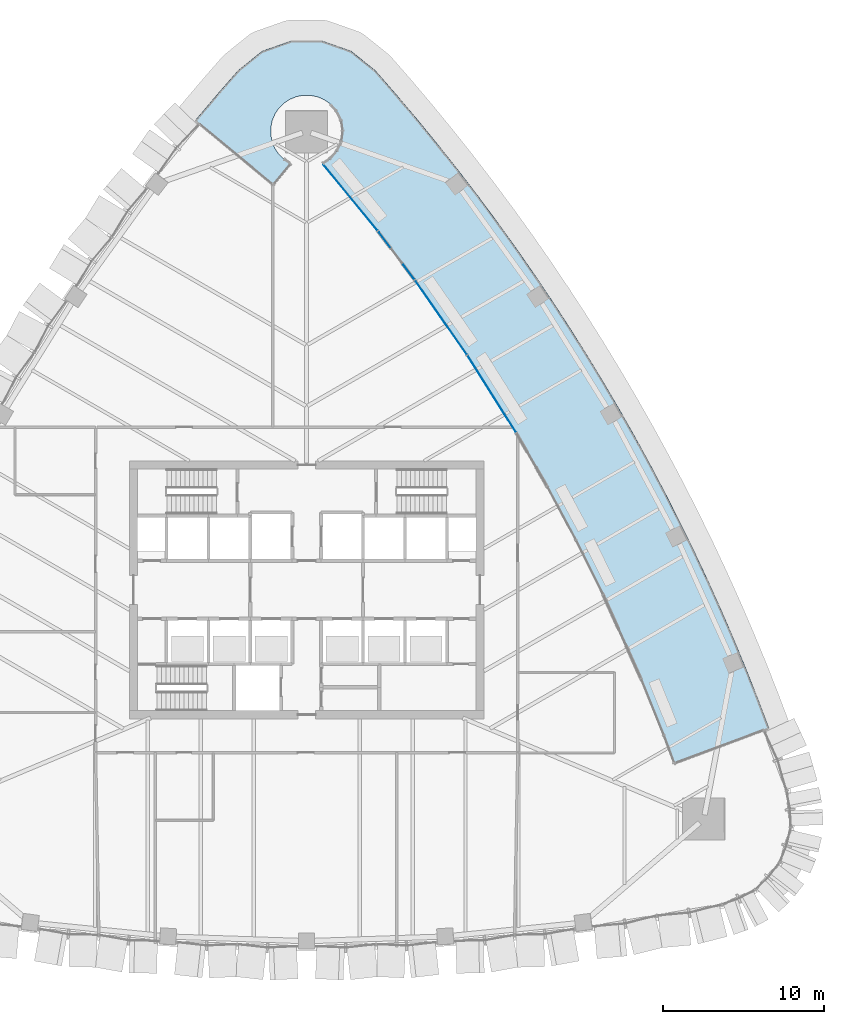
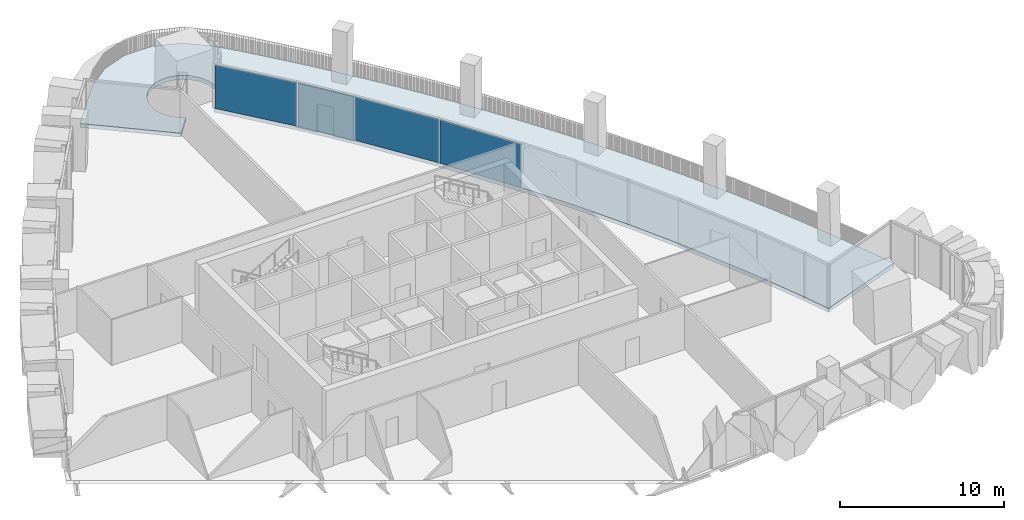
# One storey, part 12 of 22: 4 plates, 1 slab, 4 elements without a shape of their own.
"""IFC4 building model written with IfcOpenShell, lengths in metres."""

from ifc_helpers import new_model, si_unit, direction, frame, origin, origin_2d, place, context, subcontext, project, spatial, polyline, rectangle, outline, extrude, material, layer, layer_set, type_object, element, aggregate, save


model = new_model("IFC4")

# Units and contexts
model_context = context("Model", 3, precision=1e-05, world=origin(), true_north=direction((0.0, 1.0)))
body_context = subcontext(model_context, "Body", "Model", "MODEL_VIEW")
ifc_project = project(units=[si_unit("LENGTHUNIT", "METRE"), si_unit("AREAUNIT", "SQUARE_METRE"), si_unit("VOLUMEUNIT", "CUBIC_METRE"), si_unit("PLANEANGLEUNIT", "RADIAN"), si_unit("MASSUNIT", "GRAM", prefix="KILO")], contexts=[model_context])

# Site, building, storey
site_placement = place(None, origin())
site = spatial("IfcSite", under=ifc_project, at=site_placement, CompositionType="ELEMENT")
building_placement = place(site_placement, origin())
building = spatial("IfcBuilding", under=site, at=building_placement, Name="Sierra Prisma Convention Tower", CompositionType="ELEMENT")
storey_placement = place(building_placement, frame((0.0, 0.0, 141.800048828125)))
storey = spatial("IfcBuildingStorey", under=building, at=storey_placement, Name="L30", CompositionType="ELEMENT", Elevation=141.800048828125)

# Curtain wall, plate
ifc_material_1 = material(Name="Aluminium and glass curtain wall", Category="aluminium")
ifc_layer_1 = layer(ifc_material_1, 0.179931640625)
ifc_layer_set_1 = layer_set([ifc_layer_1], Name="CW-6 Terrace recess curtain wall")
curtain_wall_type = type_object("IfcCurtainWallType", Name="CW-6 Terrace recess curtain wall", PredefinedType="NOTDEFINED", material=ifc_layer_set_1)
curtain_wall_1_placement = place(storey_placement, origin())
curtain_wall_1 = element("IfcCurtainWall", 1, at=curtain_wall_1_placement, inside=storey, type_object=curtain_wall_type, Name="CW-6 R7 L30", PredefinedType="NOTDEFINED")
ifc_material_2 = material(Name="Tinted glass bronze-grey IGU", Category="glass")
ifc_layer_2 = layer(ifc_material_2, 0.028076171875)
ifc_layer_set_2 = layer_set([ifc_layer_2], Name="CW-6 glass panel")
plate_type = type_object("IfcPlateType", Name="CW-6 glass panel", PredefinedType="CURTAIN_PANEL", material=ifc_layer_set_2)
plate_1_placement = place(storey_placement, frame((11.5068359375, 12.125244140625, 0.0), z_axis=(0.0, 0.0, 1.0), x_axis=(-0.533128636001, 0.846034194034, 0.0)))
plate_1 = element("IfcPlate", 2, at=plate_1_placement, type_object=plate_type, Name="CW-6 panel R7.1", PredefinedType="CURTAIN_PANEL", context=body_context, shape_type="SweptSolid", body=[
    extrude(rectangle(XDim=5.559326171875, YDim=0.028076171875, at=origin_2d()), origin(), (0.0, 0.0, 1.0), 3.219970703125),
])
aggregate(curtain_wall_1, [plate_1])

curtain_wall_2_placement = place(storey_placement, origin())
curtain_wall_2 = element("IfcCurtainWall", 3, at=curtain_wall_2_placement, inside=storey, type_object=curtain_wall_type, Name="CW-6 R8 L30", PredefinedType="NOTDEFINED")
plate_2_placement = place(storey_placement, frame((8.35791015625, 16.873779296875, 0.0), z_axis=(0.0, 0.0, 1.0), x_axis=(-0.571825125261, 0.820375539689, 0.0)))
plate_2 = element("IfcPlate", 4, at=plate_2_placement, type_object=plate_type, Name="CW-6 panel R8.1", PredefinedType="CURTAIN_PANEL", context=body_context, shape_type="SweptSolid", body=[
    extrude(rectangle(XDim=5.559326171875, YDim=0.028076171875, at=origin_2d()), origin(), (0.0, 0.0, 1.0), 3.219970703125),
])
aggregate(curtain_wall_2, [plate_2])

curtain_wall_3_placement = place(storey_placement, origin())
curtain_wall_3 = element("IfcCurtainWall", 5, at=curtain_wall_3_placement, inside=storey, type_object=curtain_wall_type, Name="CW-6 R9 L30", PredefinedType="NOTDEFINED")
plate_3_placement = place(storey_placement, frame((5.58251953125, 20.72705078125, 0.0), z_axis=(0.0, 0.0, 1.0), x_axis=(-0.603133991012, 0.79763988672, 0.0)))
plate_3 = element("IfcPlate", 6, at=plate_3_placement, type_object=plate_type, Name="CW-6 panel R9.1", PredefinedType="CURTAIN_PANEL", context=body_context, shape_type="SweptSolid", body=[
    extrude(rectangle(XDim=3.65966796875, YDim=0.028076171875, at=origin_2d()), origin(), (0.0, 0.0, 1.0), 3.219970703125),
])
aggregate(curtain_wall_3, [plate_3])

curtain_wall_4_placement = place(storey_placement, origin())
curtain_wall_4 = element("IfcCurtainWall", 7, at=curtain_wall_4_placement, inside=storey, type_object=curtain_wall_type, Name="CW-6 R10 L30", PredefinedType="NOTDEFINED")
plate_4_placement = place(storey_placement, frame((2.71484375, 24.3486328125, 0.0), z_axis=(0.0, 0.0, 1.0), x_axis=(-0.632970891729, 0.774175593922, 0.0)))
plate_4 = element("IfcPlate", 8, at=plate_4_placement, type_object=plate_type, Name="CW-6 panel R10.1", PredefinedType="CURTAIN_PANEL", context=body_context, shape_type="SweptSolid", body=[
    extrude(rectangle(XDim=5.30078125, YDim=0.028076171875, at=origin_2d()), origin(), (0.0, 0.0, 1.0), 3.219970703125),
])
aggregate(curtain_wall_4, [plate_4])

# Slab
ifc_material_3 = material(Name="Concrete C50/60", Category="concrete")
ifc_layer_3 = layer(ifc_material_3, 0.300048828125)
ifc_layer_set_3 = layer_set([ifc_layer_3], Name="Terrace slab")
slab_type = type_object("IfcSlabType", Name="Terrace slab", PredefinedType="FLOOR", material=ifc_layer_set_3)
slab_placement = place(storey_placement, frame((0.0, 0.0, -0.300048828125)))
element("IfcSlab", 9, at=slab_placement, inside=storey, type_object=slab_type, Name="Terrace slab L30", PredefinedType="FLOOR", context=body_context, shape_type="SweptSolid", body=[
    extrude(outline(polyline([(28.68505859375, -8.581298828125), (28.009521484375, -6.79248046875), (27.275146484375, -4.935791015625), (26.512451171875, -3.090576171875), (25.720947265625, -1.25732421875), (24.9013671875, 0.563232421875), (24.0537109375, 2.37109375), (23.17822265625, 4.16552734375), (22.27490234375, 5.9462890625), (21.34423828125, 7.712646484375), (20.386474609375, 9.464599609375), (19.4013671875, 11.201416015625), (18.3896484375, 12.9228515625), (17.3515625, 14.62841796875), (16.287109375, 16.317626953125), (15.196533203125, 17.990234375), (14.080322265625, 19.6455078125), (12.9384765625, 21.28369140625), (11.771728515625, 22.90380859375), (10.579833984375, 24.505615234375), (9.36328125, 26.0888671875), (8.122314453125, 27.653076171875), (6.857421875, 29.197998046875), (5.568603515625, 30.72314453125), (4.25634765625, 32.22802734375), (2.763671875, 33.42724609375), (0.95751953125, 34.06298828125), (-0.95751953125, 34.06298828125), (-2.763671875, 33.42724609375), (-4.25634765625, 32.22802734375), (-5.568603515625, 30.72314453125), (-6.857421875, 29.197998046875), (-6.910888671875, 29.132568359375), (-2.08447265625, 25.140869140625), (-0.992919921875, 26.45458984375), (-1.420166015625, 26.72802734375), (-1.73046875, 27.038330078125), (-1.97412109375, 27.403076171875), (-2.14208984375, 27.80859375), (-2.227783203125, 28.239013671875), (-2.227783203125, 28.677734375), (-2.14208984375, 29.108154296875), (-1.97412109375, 29.513671875), (-1.73046875, 29.87841796875), (-1.420166015625, 30.188720703125), (-1.05517578125, 30.4326171875), (-0.64990234375, 30.600341796875), (-0.219482421875, 30.68603515625), (0.219482421875, 30.68603515625), (0.64990234375, 30.600341796875), (1.05517578125, 30.4326171875), (1.420166015625, 30.188720703125), (1.861328125, 29.701904296875), (2.14208984375, 29.108154296875), (2.238525390625, 28.458251953125), (2.14208984375, 27.80859375), (1.861328125, 27.21484375), (1.420166015625, 26.72802734375), (0.992919921875, 26.45458984375), (4.436767578125, 22.242431640625), (6.728515625, 19.211669921875), (9.987548828125, 14.5361328125), (13.02587890625, 9.71435546875), (14.92578125, 6.423583984375), (16.722900390625, 3.07568359375), (18.41552734375, -0.326171875), (20.755126953125, -5.523193359375), (22.1796875, -9.045654296875), (22.81494140625, -10.765380859375), (28.68505859375, -8.581298828125)])), origin(), (0.0, 0.0, 1.0), 0.300048828125),
])

save(model, "model.ifc")
